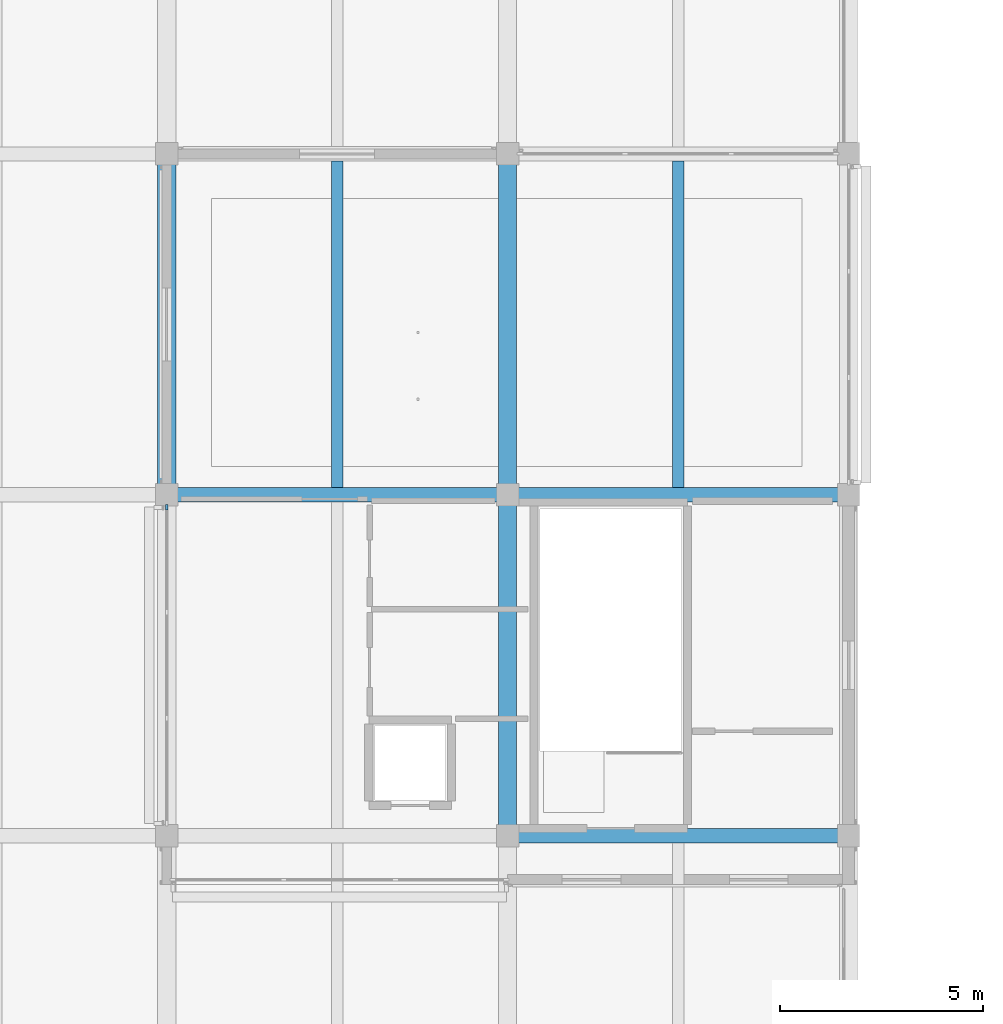
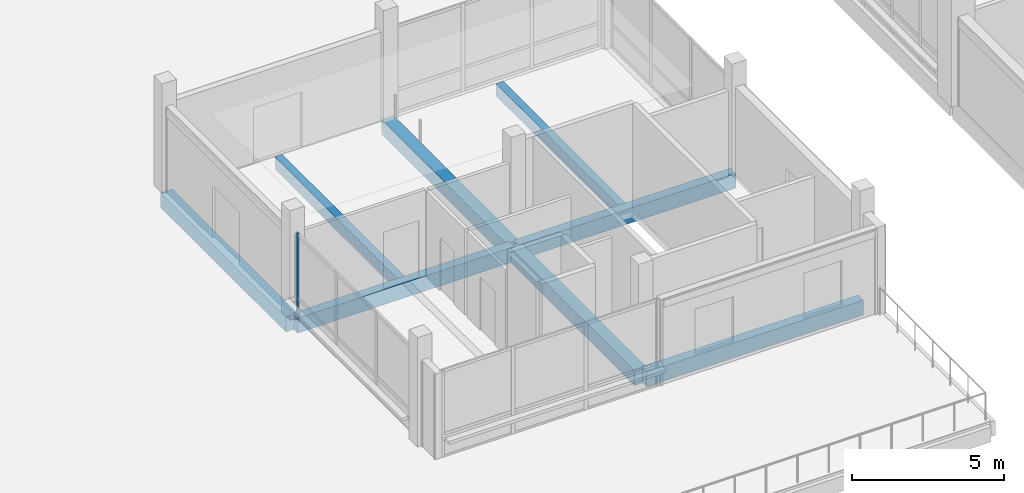
# One storey, part 4 of 59: 8 beams, 1 member, 1 element without a shape of its own.
"""IFC4 building model written with IfcOpenShell, lengths in metres."""

from ifc_helpers import new_model, si_unit, direction, frame, origin, origin_2d, place, context, subcontext, project, spatial, rectangle, extrude, material, layer, layer_set, material_profile, profile_set, type_object, element, aggregate, save


model = new_model("IFC4")

# Units and contexts
model_context = context("Model", 3, precision=1e-05, world=origin(), true_north=direction((0.0, 1.0)))
body_context = subcontext(model_context, "Body", "Model", "MODEL_VIEW")
ifc_project = project(units=[si_unit("LENGTHUNIT", "METRE"), si_unit("AREAUNIT", "SQUARE_METRE"), si_unit("VOLUMEUNIT", "CUBIC_METRE"), si_unit("PLANEANGLEUNIT", "RADIAN"), si_unit("MASSUNIT", "GRAM", prefix="KILO")], contexts=[model_context])

# Site, building, storey
site_placement = place(None, origin())
site = spatial("IfcSite", under=ifc_project, at=site_placement, CompositionType="ELEMENT")
building_placement = place(site_placement, origin())
building = spatial("IfcBuilding", under=site, at=building_placement, Name="Telukmera Botanical Conservatory", CompositionType="ELEMENT")
storey_placement = place(building_placement, frame((0.0, 0.0, 15.0)))
storey = spatial("IfcBuildingStorey", under=building, at=storey_placement, Name="L03", CompositionType="ELEMENT", Elevation=15.0)

# Beams
ifc_material_1 = material(Name="Concrete C40/50", Category="concrete")
ifc_material_profile_1 = material_profile(ifc_material_1, rectangle(XDim=0.449951171875, YDim=0.60009765625, at=origin_2d()), Name="RC 450x600")
ifc_profile_set_1 = profile_set([ifc_material_profile_1], Name="Concrete C40/50")
beam_type_1 = type_object("IfcBeamType", Name="Beam_B17", PredefinedType="BEAM", material=ifc_profile_set_1)
for number, where, z_axis, x_axis, name in (
    (1, (25.199951171875, 34.47998046875, -0.300048828125), (0.0, 1.0, 0.0), (-1.0, 0.0, 0.0), "Visitor Wing Transverse Beam L03"),
    (2, (33.60009765625, 26.080078125, -0.300048828125), (0.0, 1.0, 0.0), (-1.0, 0.0, 0.0), "Visitor Wing Transverse Beam L03"),
    (3, (33.60009765625, 34.47998046875, -0.300048828125), (0.0, 1.0, 0.0), (-1.0, 0.0, 0.0), "Visitor Wing Transverse Beam L03"),
):
    element("IfcBeam", number, at=place(storey_placement, frame(where, z_axis=z_axis, x_axis=x_axis)), inside=storey, type_object=beam_type_1, Name=name, PredefinedType="BEAM", context=body_context, shape_type="SweptSolid", body=[
        extrude(rectangle(XDim=0.449951171875, YDim=0.60009765625, at=origin_2d()), origin(), (0.0, 0.0, 1.0), 8.239990234375),
    ])
ifc_material_profile_2 = material_profile(ifc_material_1, rectangle(XDim=0.280029296875, YDim=0.5, at=origin_2d()), Name="RC 280x500")
ifc_profile_set_2 = profile_set([ifc_material_profile_2], Name="Concrete C40/50")
beam_type_2 = type_object("IfcBeamType", Name="Beam_B26", PredefinedType="JOIST", material=ifc_profile_set_2)
for number, where, z_axis, x_axis, name in (
    (4, (29.39990234375, 34.574951171875, -0.25), (0.0, 1.0, 0.0), (-1.0, 0.0, 0.0), "Visitor Wing Floor Joist L03"),
    (5, (37.800048828125, 34.574951171875, -0.25), (0.0, 1.0, 0.0), (-1.0, 0.0, 0.0), "Visitor Wing Floor Joist L03"),
):
    element("IfcBeam", number, at=place(storey_placement, frame(where, z_axis=z_axis, x_axis=x_axis)), inside=storey, type_object=beam_type_2, Name=name, PredefinedType="JOIST", context=body_context, shape_type="SweptSolid", body=[
        extrude(rectangle(XDim=0.280029296875, YDim=0.5, at=origin_2d()), origin(), (0.0, 0.0, 1.0), 8.050048828125),
    ])
ifc_material_profile_3 = material_profile(ifc_material_1, rectangle(XDim=0.35009765625, YDim=0.60009765625, at=origin_2d()), Name="RC 350x600")
ifc_profile_set_3 = profile_set([ifc_material_profile_3], Name="Concrete C40/50")
beam_type_3 = type_object("IfcBeamType", Name="Beam_B9", PredefinedType="BEAM", material=ifc_profile_set_3)
for number, where, z_axis, x_axis, name in (
    (6, (33.679931640625, 26.0, -0.300048828125), (1.0, 0.0, 0.0), (0.0, 1.0, 0.0), "Visitor Wing Grid Beam L03"),
    (7, (25.280029296875, 34.39990234375, -0.300048828125), (1.0, 0.0, 0.0), (0.0, 1.0, 0.0), "Visitor Wing Grid Beam L03"),
    (8, (33.679931640625, 34.39990234375, -0.300048828125), (1.0, 0.0, 0.0), (0.0, 1.0, 0.0), "Visitor Wing Grid Beam L03"),
):
    element("IfcBeam", number, at=place(storey_placement, frame(where, z_axis=z_axis, x_axis=x_axis)), inside=storey, type_object=beam_type_3, Name=name, PredefinedType="BEAM", context=body_context, shape_type="SweptSolid", body=[
        extrude(rectangle(XDim=0.35009765625, YDim=0.60009765625, at=origin_2d()), origin(), (0.0, 0.0, 1.0), 8.239990234375),
    ])

# Curtain wall, member
ifc_material_2 = material(Name="Anodised aluminium 6063-T6", Category="aluminium")
ifc_layer = layer(ifc_material_2, 0.179931640625)
ifc_layer_set = layer_set([ifc_layer], Name="Anodised aluminium 6063-T6")
curtain_wall_type = type_object("IfcCurtainWallType", Name="Visitor Rooftop Lounge Terrace Curtain Wall", PredefinedType="USERDEFINED", material=ifc_layer_set)
curtain_wall_placement = place(storey_placement, origin())
curtain_wall = element("IfcCurtainWall", 9, at=curtain_wall_placement, inside=storey, type_object=curtain_wall_type, Name="Unitised Curtain Wall CW11 V3:L03:W1", ObjectType="UNITISED CURTAIN WALL", PredefinedType="USERDEFINED")
ifc_material_profile_4 = material_profile(ifc_material_2, rectangle(XDim=0.06005859375, YDim=0.139892578125, at=origin_2d()), Name="ALU MULL 60x140")
ifc_profile_set_4 = profile_set([ifc_material_profile_4], Name="Anodised aluminium 6063-T6")
member_type = type_object("IfcMemberType", Name="Curtain Wall Extruded Mullion 60x140", PredefinedType="MULLION", material=ifc_profile_set_4)
member_placement = place(storey_placement, frame((25.199951171875, 34.093017578125, 0.0), z_axis=(0.0, 0.0, 1.0), x_axis=(-1.0, 0.0, 0.0)))
member = element("IfcMember", 10, at=member_placement, type_object=member_type, Name="CW11 mullion 4", PredefinedType="MULLION", context=body_context, shape_type="SweptSolid", body=[
    extrude(rectangle(XDim=0.06005859375, YDim=0.139892578125, at=origin_2d()), origin(), (0.0, 0.0, 1.0), 3.550048828125),
])
aggregate(curtain_wall, [member])

save(model, "model.ifc")
